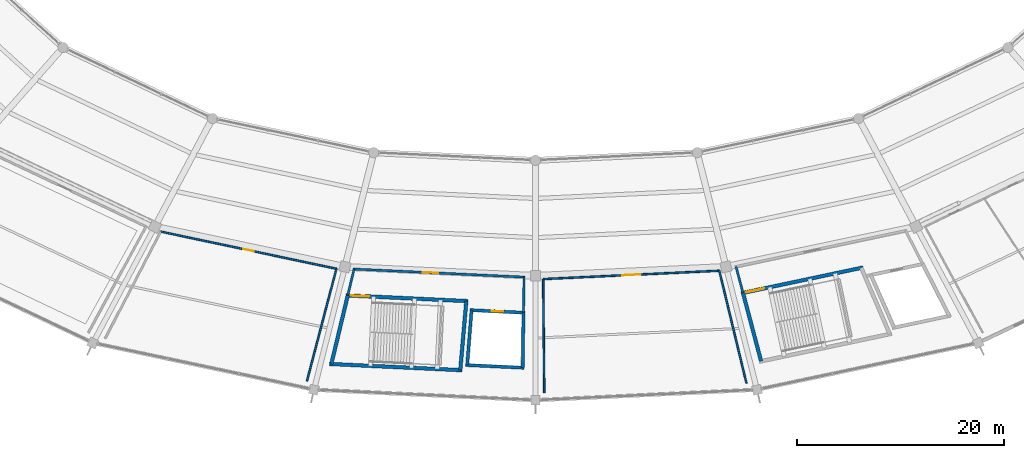
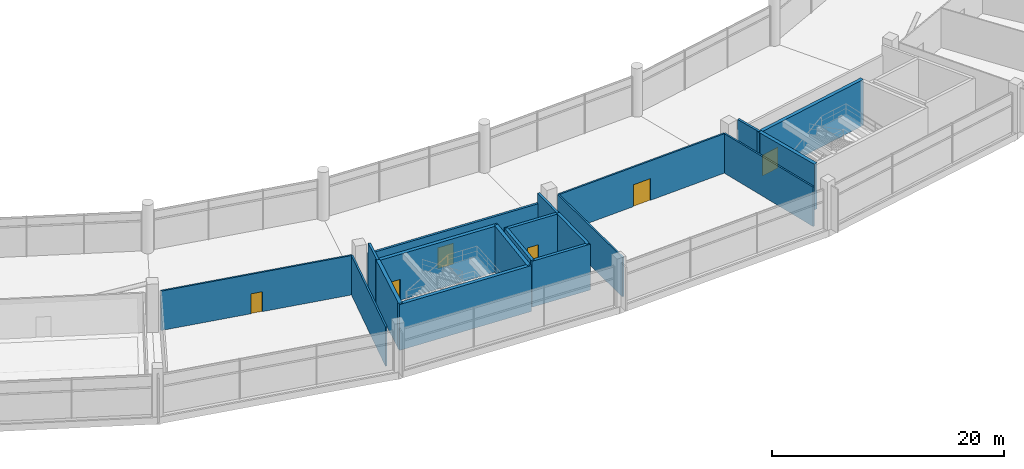
# One storey, part 145 of 184: 19 walls, 6 doors, 6 openings.
"""IFC4 building model written with IfcOpenShell, lengths in metres."""

from ifc_helpers import new_model, si_unit, direction, frame, frame_2d, origin, place, context, subcontext, project, spatial, rectangle, extrude, material, layer, layer_set, type_object, element, fill, save


model = new_model("IFC4")

# Units and contexts
model_context = context("Model", 3, precision=1e-05, world=origin(), true_north=direction((0.0, 1.0)))
body_context = subcontext(model_context, "Body", "Model", "MODEL_VIEW")
ifc_project = project(units=[si_unit("LENGTHUNIT", "METRE"), si_unit("AREAUNIT", "SQUARE_METRE"), si_unit("VOLUMEUNIT", "CUBIC_METRE"), si_unit("PLANEANGLEUNIT", "RADIAN"), si_unit("MASSUNIT", "GRAM", prefix="KILO")], contexts=[model_context])

# Site, building, storey
site_placement = place(None, origin())
site = spatial("IfcSite", under=ifc_project, at=site_placement, CompositionType="ELEMENT")
building_placement = place(site_placement, origin())
building = spatial("IfcBuilding", under=site, at=building_placement, Name="Kazemori Nagisa Stadium", CompositionType="ELEMENT")
storey_placement = place(building_placement, frame((0.0, 0.0, 10.5400390625)))
storey = spatial("IfcBuildingStorey", under=building, at=storey_placement, Name="L02", CompositionType="ELEMENT", Elevation=10.5400390625)

# Wall, opening, door
ifc_material_1 = material(Name="Concrete C40/50 (Fc42)", Category="concrete")
ifc_layer_1 = layer(ifc_material_1, 0.35009765625, Name="Concrete C40/50 (Fc42)", Category="concrete")
ifc_layer_set_1 = layer_set([ifc_layer_1], Name="Concrete C40/50 (Fc42)")
wall_type_1 = type_object("IfcWallType", Name="Wall_W-CORE-350", PredefinedType="SHEAR", material=ifc_layer_set_1)
wall_1_placement = place(storey_placement, frame((104.66748046875, 26.15478515625, 0.0), z_axis=(0.0, 0.0, 1.0), x_axis=(0.998883770468, -0.04723571843, 0.0)))
wall_1 = element("IfcWall", 1, at=wall_1_placement, inside=storey, type_object=wall_type_1, Name="Core stair front shear wall ST12 L02", PredefinedType="SHEAR", context=body_context, shape_type="SweptSolid", body=[
    extrude(rectangle(XDim=11.830810546875, YDim=0.35009765625, at=frame_2d((5.91552734375, 0.0))), origin(), (0.0, 0.0, 1.0), 4.83984375),
])
opening_1_placement = place(wall_1_placement, frame((0.47509765625, 0.0, 0.0)))
opening_1 = element("IfcOpeningElement", 2, at=opening_1_placement, cuts=wall_1, Name="Opening D-ST-1800", PredefinedType="OPENING", context=body_context, shape_type="SweptSolid", body=[
    extrude(rectangle(XDim=1.800048828125, YDim=2.199951171875, at=frame_2d((0.89990234375, 1.10009765625))), frame((0.0, 0.18505859375, 0.0), z_axis=(0.0, -1.0, 0.0), x_axis=(1.0, 0.0, 0.0)), (0.0, 0.0, 1.0), 0.3701171875),
])
ifc_material_2 = material(Name="Galvanised steel sheet", Category="steel")
door_type_1 = type_object("IfcDoorType", Name="Door_D-ST-1800", OperationType="NOTDEFINED", PredefinedType="DOOR", material=ifc_material_2)
door_1_placement = place(opening_1_placement, frame((1.800048828125, 0.0, 0.0), z_axis=(0.0, 0.0, 1.0), x_axis=(-1.0, 0.0, 0.0)))
door_1 = element("IfcDoor", 3, at=door_1_placement, inside=storey, type_object=door_type_1, Name="Exit stair fire door ST12-L02", OperationType="SINGLE_SWING_LEFT", OverallHeight=2.199951171875, OverallWidth=1.800048828125, PredefinedType="DOOR", context=body_context, shape_type="SweptSolid", body=[
    extrude(rectangle(XDim=1.800048828125, YDim=2.199951171875, at=frame_2d((0.89990234375, 1.10009765625))), frame((0.0, 0.02490234375, 0.0), z_axis=(0.0, -1.0, 0.0), x_axis=(1.0, 0.0, 0.0)), (0.0, 0.0, 1.0), 0.050048828125),
])
fill(opening_1, door_1)

# Walls
wall_2_placement = place(storey_placement, frame((103.07958984375, 19.52197265625, 0.0), z_axis=(0.0, 0.0, 1.0), x_axis=(0.998884004857, -0.047230761603, 0.0)))
element("IfcWall", 4, at=wall_2_placement, inside=storey, type_object=wall_type_1, Name="Core stair rear shear wall ST12 L02", PredefinedType="SHEAR", context=body_context, shape_type="SweptSolid", body=[
    extrude(rectangle(XDim=12.8349609375, YDim=0.35009765625, at=frame_2d((6.41748046875, 0.0))), origin(), (0.0, 0.0, 1.0), 4.83984375),
])
wall_3_placement = place(storey_placement, frame((104.84228515625, 26.146484375, 0.0), z_axis=(0.0, 0.0, 1.0), x_axis=(-0.232820532896, -0.972519716747, 0.0)))
element("IfcWall", 5, at=wall_3_placement, inside=storey, type_object=wall_type_1, Name="Core stair left shear wall ST12 L02", PredefinedType="SHEAR", context=body_context, shape_type="SweptSolid", body=[
    extrude(rectangle(XDim=6.8203125, YDim=0.35009765625, at=frame_2d((3.41015625, 0.0))), origin(), (0.0, 0.0, 1.0), 4.83984375),
])
wall_4_placement = place(storey_placement, frame((116.310302734375, 25.604248046875, 0.0), z_axis=(0.0, 0.0, 1.0), x_axis=(-0.087232889326, -0.996187945631, 0.0)))
element("IfcWall", 6, at=wall_4_placement, inside=storey, type_object=wall_type_1, Name="Core stair right shear wall ST12 L02", PredefinedType="SHEAR", context=body_context, shape_type="SweptSolid", body=[
    extrude(rectangle(XDim=6.705810546875, YDim=0.35009765625, at=frame_2d((3.35302734375, 0.0))), origin(), (0.0, 0.0, 1.0), 4.83984375),
])

# Wall, opening, door
wall_5_placement = place(storey_placement, frame((142.895751953125, 26.357177734375, 0.0), z_axis=(0.0, 0.0, 1.0), x_axis=(0.978345203961, 0.206979858648, 0.0)))
wall_5 = element("IfcWall", 7, at=wall_5_placement, inside=storey, type_object=wall_type_1, Name="Core stair front shear wall ST06 L02", PredefinedType="SHEAR", context=body_context, shape_type="SweptSolid", body=[
    extrude(rectangle(XDim=12.044189453125, YDim=0.35009765625, at=frame_2d((6.02197265625, 0.0))), origin(), (0.0, 0.0, 1.0), 4.83984375),
])
opening_2_placement = place(wall_5_placement, frame((0.47509765625, 0.0, 0.0)))
opening_2 = element("IfcOpeningElement", 8, at=opening_2_placement, cuts=wall_5, Name="Opening D-ST-1800", PredefinedType="OPENING", context=body_context, shape_type="SweptSolid", body=[
    extrude(rectangle(XDim=1.800048828125, YDim=2.199951171875, at=frame_2d((0.89990234375, 1.10009765625))), frame((0.0, 0.18505859375, 0.0), z_axis=(0.0, -1.0, 0.0), x_axis=(1.0, 0.0, 0.0)), (0.0, 0.0, 1.0), 0.3701171875),
])
door_2_placement = place(opening_2_placement, frame((1.800048828125, 0.0, 0.0), z_axis=(0.0, 0.0, 1.0), x_axis=(-1.0, 0.0, 0.0)))
door_2 = element("IfcDoor", 9, at=door_2_placement, inside=storey, type_object=door_type_1, Name="Exit stair fire door ST06-L02", OperationType="SINGLE_SWING_LEFT", OverallHeight=2.199951171875, OverallWidth=1.800048828125, PredefinedType="DOOR", context=body_context, shape_type="SweptSolid", body=[
    extrude(rectangle(XDim=1.800048828125, YDim=2.199951171875, at=frame_2d((0.89990234375, 1.10009765625))), frame((0.0, 0.02490234375, 0.0), z_axis=(0.0, -1.0, 0.0), x_axis=(1.0, 0.0, 0.0)), (0.0, 0.0, 1.0), 0.050048828125),
])
fill(opening_2, door_2)

# Wall
wall_6_placement = place(storey_placement, frame((143.06689453125, 26.3935546875, 0.0), z_axis=(0.0, 0.0, 1.0), x_axis=(0.256518400663, -0.966539347425, 0.0)))
element("IfcWall", 10, at=wall_6_placement, inside=storey, type_object=wall_type_1, Name="Core stair left shear wall ST06 L02", PredefinedType="SHEAR", context=body_context, shape_type="SweptSolid", body=[
    extrude(rectangle(XDim=6.840087890625, YDim=0.35009765625, at=frame_2d((3.419921875, 0.0))), origin(), (0.0, 0.0, 1.0), 4.83984375),
])

# Wall, opening, door
ifc_material_3 = material(Name="Concrete C36/45 (Fc36)", Category="concrete")
ifc_layer_2 = layer(ifc_material_3, 0.219970703125, Name="Concrete C36/45 (Fc36)", Category="concrete")
ifc_layer_set_2 = layer_set([ifc_layer_2], Name="Concrete C36/45 (Fc36)")
wall_type_2 = type_object("IfcWallType", Name="Wall_W-LOBBY-220", PredefinedType="SOLIDWALL", material=ifc_layer_set_2)
wall_7_placement = place(storey_placement, frame((105.343017578125, 28.702880859375, 0.0), z_axis=(0.0, 0.0, 1.0), x_axis=(0.998884242682, -0.047225731555, 0.0)))
wall_7 = element("IfcWall", 11, at=wall_7_placement, inside=storey, type_object=wall_type_2, Name="Core lobby fire wall ST12 L02", PredefinedType="SOLIDWALL", context=body_context, shape_type="SweptSolid", body=[
    extrude(rectangle(XDim=16.67724609375, YDim=0.219970703125, at=frame_2d((8.338623046875, 0.0))), origin(), (0.0, 0.0, 1.0), 3.787841796875),
])
opening_3_placement = place(wall_7_placement, frame((6.76611328125, 0.0, 0.0)))
opening_3 = element("IfcOpeningElement", 12, at=opening_3_placement, cuts=wall_7, Name="Opening D-FFL-1500", PredefinedType="OPENING", context=body_context, shape_type="SweptSolid", body=[
    extrude(rectangle(XDim=1.5, YDim=2.199951171875, at=frame_2d((0.75, 1.10009765625))), frame((0.0, 0.119873046875, 0.0), z_axis=(0.0, -1.0, 0.0), x_axis=(1.0, 0.0, 0.0)), (0.0, 0.0, 1.0), 0.239990234375),
])
door_type_2 = type_object("IfcDoorType", Name="Door_D-FFL-1500", OperationType="NOTDEFINED", PredefinedType="DOOR", material=ifc_material_2)
door_3_placement = place(opening_3_placement, frame((1.5, 0.0, 0.0), z_axis=(0.0, 0.0, 1.0), x_axis=(-1.0, 0.0, 0.0)))
door_3 = element("IfcDoor", 13, at=door_3_placement, inside=storey, type_object=door_type_2, Name="Protected lobby fire door ST12-L02", OperationType="DOUBLE_DOOR_SINGLE_SWING", OverallHeight=2.199951171875, OverallWidth=1.5, PredefinedType="DOOR", context=body_context, shape_type="SweptSolid", body=[
    extrude(rectangle(XDim=1.5, YDim=2.199951171875, at=frame_2d((0.75, 1.10009765625))), frame((0.0, 0.02490234375, 0.0), z_axis=(0.0, -1.0, 0.0), x_axis=(1.0, 0.0, 0.0)), (0.0, 0.0, 1.0), 0.050048828125),
])
fill(opening_3, door_3)

# Walls
wall_8_placement = place(storey_placement, frame((105.452880859375, 28.69775390625, 0.0), z_axis=(0.0, 0.0, 1.0), x_axis=(-0.232756927197, -0.972534941707, 0.0)))
element("IfcWall", 14, at=wall_8_placement, inside=storey, type_object=wall_type_2, Name="Core lobby left wall ST12 L02", PredefinedType="SOLIDWALL", context=body_context, shape_type="SweptSolid", body=[
    extrude(rectangle(XDim=2.623291015625, YDim=0.219970703125, at=frame_2d((1.3115234375, 0.0))), origin(), (0.0, 0.0, 1.0), 4.83984375),
])
wall_9_placement = place(storey_placement, frame((121.891845703125, 27.92041015625, 0.0), z_axis=(0.0, 0.0, 1.0), x_axis=(-0.014984113027, -0.999887731876, 0.0)))
element("IfcWall", 15, at=wall_9_placement, inside=storey, type_object=wall_type_2, Name="Core lobby right wall ST12 L02", PredefinedType="SOLIDWALL", context=body_context, shape_type="SweptSolid", body=[
    extrude(rectangle(XDim=3.43798828125, YDim=0.219970703125, at=frame_2d((1.718994140625, 0.0))), origin(), (0.0, 0.0, 1.0), 4.83984375),
])
wall_10_placement = place(storey_placement, frame((142.39208984375, 28.936279296875, 0.0), z_axis=(0.0, 0.0, 1.0), x_axis=(0.256507243456, -0.966542308466, 0.0)))
element("IfcWall", 16, at=wall_10_placement, inside=storey, type_object=wall_type_2, Name="Core lobby left wall ST06 L02", PredefinedType="SOLIDWALL", context=body_context, shape_type="SweptSolid", body=[
    extrude(rectangle(XDim=2.630859375, YDim=0.219970703125, at=frame_2d((1.3154296875, 0.0))), origin(), (0.0, 0.0, 1.0), 4.83984375),
])

# Wall, opening, door
ifc_material_4 = material(Name="Gypsum plasterboard", Category="gypsum")
ifc_layer_3 = layer(ifc_material_4, 0.1650390625, Name="Gypsum plasterboard", Category="gypsum")
ifc_layer_set_3 = layer_set([ifc_layer_3], Name="Gypsum plasterboard")
wall_type_3 = type_object("IfcWallType", Name="Wall_W-PART-165", PredefinedType="PARTITIONING", material=ifc_layer_set_3)
wall_11_placement = place(storey_placement, frame((86.755615234375, 32.322509765625, 0.0), z_axis=(0.0, 0.0, 1.0), x_axis=(0.978347075804, -0.206971010692, 0.0)))
wall_11 = element("IfcWall", 17, at=wall_11_placement, inside=storey, type_object=wall_type_3, Name="Room corridor partition L02-B20", PredefinedType="PARTITIONING", context=body_context, shape_type="SweptSolid", body=[
    extrude(rectangle(XDim=17.3681640625, YDim=0.1650390625, at=frame_2d((8.68408203125, 0.0))), origin(), (0.0, 0.0, 1.0), 4.159912109375),
])
opening_4_placement = place(wall_11_placement, frame((8.174072265625, 0.0, 0.0)))
opening_4 = element("IfcOpeningElement", 18, at=opening_4_placement, cuts=wall_11, Name="Opening D-STR-1020", PredefinedType="OPENING", context=body_context, shape_type="SweptSolid", body=[
    extrude(rectangle(XDim=1.02001953125, YDim=2.10009765625, at=frame_2d((0.510009765625, 1.050048828125))), frame((0.0, 0.092529296875, 0.0), z_axis=(0.0, -1.0, 0.0), x_axis=(1.0, 0.0, 0.0)), (0.0, 0.0, 1.0), 0.18505859375),
])
ifc_material_5 = material(Name="Powder-coated steel sheet", Category="steel")
door_type_3 = type_object("IfcDoorType", Name="Door_D-STR-1020", OperationType="NOTDEFINED", PredefinedType="DOOR", material=ifc_material_5)
door_4_placement = place(opening_4_placement, origin())
door_4 = element("IfcDoor", 19, at=door_4_placement, inside=storey, type_object=door_type_3, Name="Room entrance door D-STR-1020 L02-B20", OperationType="SINGLE_SWING_RIGHT", OverallHeight=2.10009765625, OverallWidth=1.02001953125, PredefinedType="DOOR", context=body_context, shape_type="SweptSolid", body=[
    extrude(rectangle(XDim=1.02001953125, YDim=2.10009765625, at=frame_2d((0.510009765625, 1.050048828125))), frame((0.0, 0.02490234375, 0.0), z_axis=(0.0, -1.0, 0.0), x_axis=(1.0, 0.0, 0.0)), (0.0, 0.0, 1.0), 0.050048828125),
])
fill(opening_4, door_4)

# Wall
wall_12_placement = place(storey_placement, frame((103.747802734375, 28.727783203125, 0.0), z_axis=(0.0, 0.0, 1.0), x_axis=(-0.254131382846, -0.967169706025, 0.0)))
element("IfcWall", 20, at=wall_12_placement, inside=storey, type_object=wall_type_3, Name="Room radial partition L02-B20-R", PredefinedType="PARTITIONING", context=body_context, shape_type="SweptSolid", body=[
    extrude(rectangle(XDim=11.2236328125, YDim=0.1650390625, at=frame_2d((5.61181640625, 0.0))), origin(), (0.0, 0.0, 1.0), 4.159912109375),
])

# Wall, opening, door
wall_13_placement = place(storey_placement, frame((123.740478515625, 27.73095703125, 0.0), z_axis=(0.0, 0.0, 1.0), x_axis=(0.998883826153, 0.047234540851, 0.0)))
wall_13 = element("IfcWall", 21, at=wall_13_placement, inside=storey, type_object=wall_type_3, Name="Room corridor partition L02-B22", PredefinedType="PARTITIONING", context=body_context, shape_type="SweptSolid", body=[
    extrude(rectangle(XDim=17.051513671875, YDim=0.1650390625, at=frame_2d((8.52587890625, 0.0))), origin(), (0.0, 0.0, 1.0), 4.159912109375),
])
opening_5_placement = place(wall_13_placement, frame((7.65087890625, 0.0, 0.0)))
opening_5 = element("IfcOpeningElement", 22, at=opening_5_placement, cuts=wall_13, Name="Opening D-DIN-1750", PredefinedType="OPENING", context=body_context, shape_type="SweptSolid", body=[
    extrude(rectangle(XDim=1.75, YDim=2.300048828125, at=frame_2d((0.875, 1.14990234375))), frame((0.0, 0.092529296875, 0.0), z_axis=(0.0, -1.0, 0.0), x_axis=(1.0, 0.0, 0.0)), (0.0, 0.0, 1.0), 0.18505859375),
])
ifc_material_6 = material(Name="Anodised aluminium 6063-T5", Category="aluminium")
door_type_4 = type_object("IfcDoorType", Name="Door_D-DIN-1750", OperationType="NOTDEFINED", PredefinedType="DOOR", material=ifc_material_6)
door_5_placement = place(opening_5_placement, origin())
door_5 = element("IfcDoor", 23, at=door_5_placement, inside=storey, type_object=door_type_4, Name="Room entrance door D-DIN-1750 L02-B22", OperationType="DOUBLE_DOOR_SINGLE_SWING", OverallHeight=2.300048828125, OverallWidth=1.75, PredefinedType="DOOR", context=body_context, shape_type="SweptSolid", body=[
    extrude(rectangle(XDim=1.75, YDim=2.300048828125, at=frame_2d((0.875, 1.14990234375))), frame((0.0, 0.02490234375, 0.0), z_axis=(0.0, -1.0, 0.0), x_axis=(1.0, 0.0, 0.0)), (0.0, 0.0, 1.0), 0.050048828125),
])
fill(opening_5, door_5)

# Walls
wall_14_placement = place(storey_placement, frame((123.740478515625, 27.73095703125, 0.0), z_axis=(0.0, 0.0, 1.0), x_axis=(0.00998463551, -0.999950152284, 0.0)))
element("IfcWall", 24, at=wall_14_placement, inside=storey, type_object=wall_type_3, Name="Room radial partition L02-B22-L", PredefinedType="PARTITIONING", context=body_context, shape_type="SweptSolid", body=[
    extrude(rectangle(XDim=11.003173828125, YDim=0.1650390625, at=frame_2d((5.50146484375, 0.0))), origin(), (0.0, 0.0, 1.0), 4.159912109375),
])
wall_15_placement = place(storey_placement, frame((140.77294921875, 28.536376953125, 0.0), z_axis=(0.0, 0.0, 1.0), x_axis=(0.235146333041, -0.971959979658, 0.0)))
element("IfcWall", 25, at=wall_15_placement, inside=storey, type_object=wall_type_3, Name="Room radial partition L02-B22-R", PredefinedType="PARTITIONING", context=body_context, shape_type="SweptSolid", body=[
    extrude(rectangle(XDim=11.197509765625, YDim=0.1650390625, at=frame_2d((5.5986328125, 0.0))), origin(), (0.0, 0.0, 1.0), 4.159912109375),
])

# Wall, opening, door
ifc_layer_4 = layer(ifc_material_1, 0.300048828125, Name="Concrete C40/50 (Fc42)", Category="concrete")
ifc_layer_set_4 = layer_set([ifc_layer_4], Name="Concrete C40/50 (Fc42)")
wall_type_4 = type_object("IfcWallType", Name="Wall_W-SHAFT-300", PredefinedType="SHEAR", material=ifc_layer_set_4)
wall_16_placement = place(storey_placement, frame((116.665283203125, 24.7275390625, 0.0), z_axis=(0.0, 0.0, 1.0), x_axis=(0.998882494219, -0.047262699282, 0.0)))
wall_16 = element("IfcWall", 26, at=wall_16_placement, inside=storey, type_object=wall_type_4, Name="Lift shaft front wall LP4 L02", PredefinedType="SHEAR", context=body_context, shape_type="SweptSolid", body=[
    extrude(rectangle(XDim=5.330810546875, YDim=0.300048828125, at=frame_2d((2.66552734375, 0.0))), origin(), (0.0, 0.0, 1.0), 4.83984375),
])
opening_6_placement = place(wall_16_placement, frame((2.114990234375, 0.0, 0.0)))
opening_6 = element("IfcOpeningElement", 27, at=opening_6_placement, cuts=wall_16, Name="Opening LD-PAX", PredefinedType="OPENING", context=body_context, shape_type="SweptSolid", body=[
    extrude(rectangle(XDim=1.10009765625, YDim=2.199951171875, at=frame_2d((0.550048828125, 1.10009765625))), frame((0.0, 0.159912109375, 0.0), z_axis=(0.0, -1.0, 0.0), x_axis=(1.0, 0.0, 0.0)), (0.0, 0.0, 1.0), 0.320068359375),
])
ifc_material_7 = material(Name="Stainless steel SUS304", Category="steel")
door_type_5 = type_object("IfcDoorType", Name="Door_LD-PAX", OperationType="SLIDING_TO_RIGHT", PredefinedType="DOOR", material=ifc_material_7)
door_6_placement = place(opening_6_placement, origin())
door_6 = element("IfcDoor", 28, at=door_6_placement, inside=storey, type_object=door_type_5, Name="Lift landing door LP4-L02", OperationType="SLIDING_TO_RIGHT", OverallHeight=2.199951171875, OverallWidth=1.10009765625, PredefinedType="DOOR", context=body_context, shape_type="SweptSolid", body=[
    extrude(rectangle(XDim=1.10009765625, YDim=2.199951171875, at=frame_2d((0.550048828125, 1.10009765625))), frame((0.0, 0.02490234375, 0.0), z_axis=(0.0, -1.0, 0.0), x_axis=(1.0, 0.0, 0.0)), (0.0, 0.0, 1.0), 0.050048828125),
])
fill(opening_6, door_6)

# Walls
wall_17_placement = place(storey_placement, frame((116.240234375, 19.41552734375, 0.0), z_axis=(0.0, 0.0, 1.0), x_axis=(0.998884329444, -0.047223896393, 0.0)))
element("IfcWall", 29, at=wall_17_placement, inside=storey, type_object=wall_type_4, Name="Lift shaft B wall LP4 L02", PredefinedType="SHEAR", context=body_context, shape_type="SweptSolid", body=[
    extrude(rectangle(XDim=5.676513671875, YDim=0.300048828125, at=frame_2d((2.83837890625, 0.0))), origin(), (0.0, 0.0, 1.0), 4.83984375),
])
wall_18_placement = place(storey_placement, frame((116.815185546875, 24.720458984375, 0.0), z_axis=(0.0, 0.0, 1.0), x_axis=(-0.079807132276, -0.996810323802, 0.0)))
element("IfcWall", 30, at=wall_18_placement, inside=storey, type_object=wall_type_4, Name="Lift shaft L wall LP4 L02", PredefinedType="SHEAR", context=body_context, shape_type="SweptSolid", body=[
    extrude(rectangle(XDim=5.3291015625, YDim=0.300048828125, at=frame_2d((2.66455078125, 0.0))), origin(), (0.0, 0.0, 1.0), 4.83984375),
])
wall_19_placement = place(storey_placement, frame((121.84033203125, 24.48291015625, 0.0), z_axis=(0.0, 0.0, 1.0), x_axis=(-0.014935332807, -0.999888461697, 0.0)))
element("IfcWall", 31, at=wall_19_placement, inside=storey, type_object=wall_type_4, Name="Lift shaft R wall LP4 L02", PredefinedType="SHEAR", context=body_context, shape_type="SweptSolid", body=[
    extrude(rectangle(XDim=5.328857421875, YDim=0.300048828125, at=frame_2d((2.66455078125, 0.0))), origin(), (0.0, 0.0, 1.0), 4.83984375),
])

save(model, "model.ifc")
